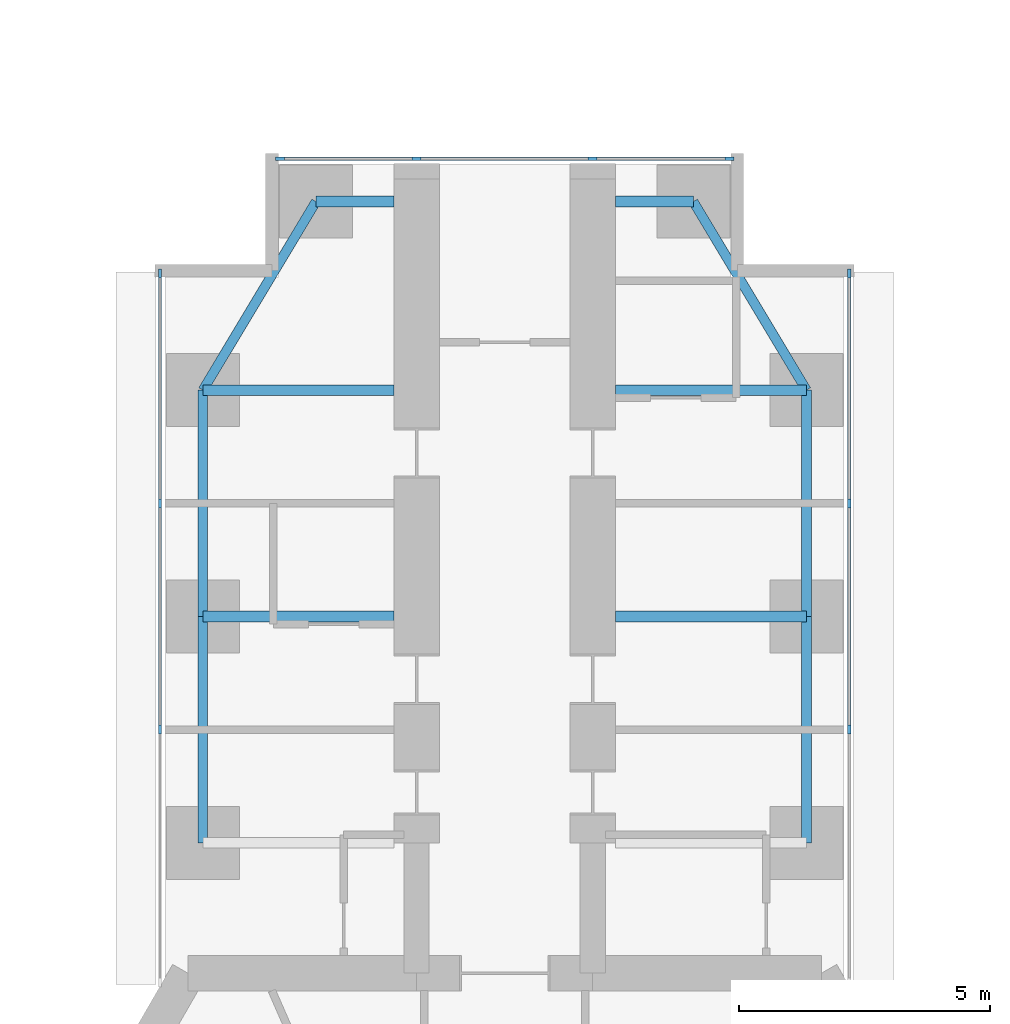
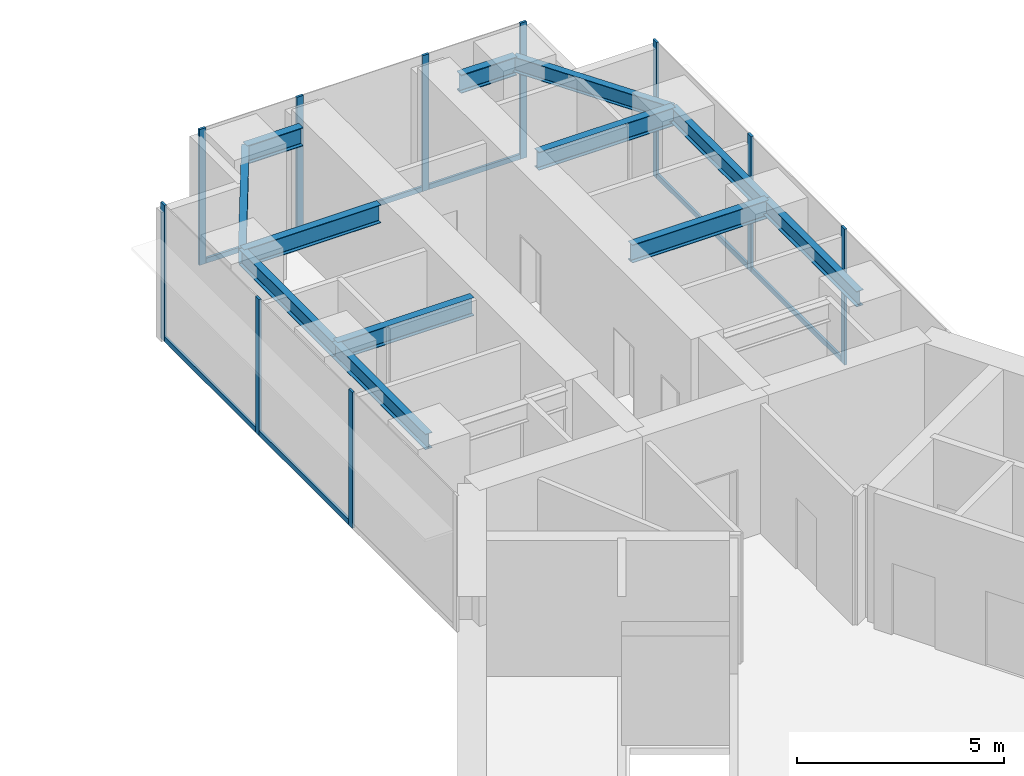
# One storey, part 13 of 24: 17 members, 12 beams, 3 elements without a shape of their own.
"""IFC4 building model written with IfcOpenShell, lengths in metres."""

from ifc_helpers import new_model, si_unit, direction, frame, origin, origin_2d, place, context, subcontext, project, spatial, rectangle, i_section, extrude, material, material_profile, profile_set, type_object, element, aggregate, save


model = new_model("IFC4")

# Units and contexts
model_context = context("Model", 3, precision=1e-05, world=origin(), true_north=direction((0.0, 1.0)))
body_context = subcontext(model_context, "Body", "Model", "MODEL_VIEW")
ifc_project = project(units=[si_unit("LENGTHUNIT", "METRE"), si_unit("AREAUNIT", "SQUARE_METRE"), si_unit("VOLUMEUNIT", "CUBIC_METRE"), si_unit("PLANEANGLEUNIT", "RADIAN"), si_unit("MASSUNIT", "GRAM", prefix="KILO")], contexts=[model_context])

# Site, building, storey
site_placement = place(None, origin())
site = spatial("IfcSite", under=ifc_project, at=site_placement, CompositionType="ELEMENT")
building_placement = place(site_placement, origin())
building = spatial("IfcBuilding", under=site, at=building_placement, Name="Upepo Twin Towers", CompositionType="ELEMENT")
storey_placement = place(building_placement, frame((0.0, 0.0, 56.5)))
storey = spatial("IfcBuildingStorey", under=building, at=storey_placement, Name="L13", CompositionType="ELEMENT", Elevation=56.5)

# Beams
ifc_material_1 = material(Name="Steel S355", Category="steel")
ifc_material_profile_1 = material_profile(ifc_material_1, i_section(OverallWidth=0.1904296875, OverallDepth=0.45703125, WebThickness=0.009033203125, FlangeThickness=0.014404296875, FilletRadius=0.01025390625, at=origin_2d()), Name="UB 457x191x74")
ifc_profile_set_1 = profile_set([ifc_material_profile_1], Name="Steel S355")
beam_type_1 = type_object("IfcBeamType", Name="Beam UB 457x191x74", PredefinedType="BEAM", material=ifc_profile_set_1)
for number, where, z_axis, x_axis, name in (
    (1, (52.5, -4.5, 3.571533203125), (0.0, 1.0, 0.0), (-1.0, 0.0, 0.0), "T2 edge beam AL 13.5-18.0"),
    (2, (52.5, 0.0, 3.571533203125), (0.0, 1.0, 0.0), (-1.0, 0.0, 0.0), "T2 edge beam AL 18.0-22.5"),
):
    element("IfcBeam", number, at=place(storey_placement, frame(where, z_axis=z_axis, x_axis=x_axis)), inside=storey, type_object=beam_type_1, Name=name, PredefinedType="BEAM", context=body_context, shape_type="SweptSolid", body=[
        extrude(i_section(OverallWidth=0.1904296875, OverallDepth=0.45703125, WebThickness=0.009033203125, FlangeThickness=0.014404296875, FilletRadius=0.01025390625, at=origin_2d()), origin(), (0.0, 0.0, 1.0), 4.5),
    ])
beam_1_placement = place(storey_placement, frame((52.5, 4.5, 3.571533203125), z_axis=(0.514495755428, 0.857492925713, 0.0), x_axis=(-0.857492925713, 0.514495755428, 0.0)))
element("IfcBeam", 3, at=beam_1_placement, inside=storey, type_object=beam_type_1, Name="T2 nose edge beam AL", PredefinedType="BEAM", context=body_context, shape_type="SweptSolid", body=[
    extrude(i_section(OverallWidth=0.1904296875, OverallDepth=0.45703125, WebThickness=0.009033203125, FlangeThickness=0.014404296875, FilletRadius=0.01025390625, at=origin_2d()), origin(), (0.0, 0.0, 1.0), 4.373291015625),
])
for number, where, z_axis, x_axis, name in (
    (4, (64.5, -4.5, 3.571533203125), (0.0, 1.0, 0.0), (-1.0, 0.0, 0.0), "T2 edge beam AR 13.5-18.0"),
    (5, (64.5, 0.0, 3.571533203125), (0.0, 1.0, 0.0), (-1.0, 0.0, 0.0), "T2 edge beam AR 18.0-22.5"),
):
    element("IfcBeam", number, at=place(storey_placement, frame(where, z_axis=z_axis, x_axis=x_axis)), inside=storey, type_object=beam_type_1, Name=name, PredefinedType="BEAM", context=body_context, shape_type="SweptSolid", body=[
        extrude(i_section(OverallWidth=0.1904296875, OverallDepth=0.45703125, WebThickness=0.009033203125, FlangeThickness=0.014404296875, FilletRadius=0.01025390625, at=origin_2d()), origin(), (0.0, 0.0, 1.0), 4.5),
    ])
beam_2_placement = place(storey_placement, frame((64.5, 4.5, 3.571533203125), z_axis=(-0.514495755428, 0.857492925713, 0.0), x_axis=(-0.857492925713, -0.514495755428, 0.0)))
element("IfcBeam", 6, at=beam_2_placement, inside=storey, type_object=beam_type_1, Name="T2 nose edge beam AR", PredefinedType="BEAM", context=body_context, shape_type="SweptSolid", body=[
    extrude(i_section(OverallWidth=0.1904296875, OverallDepth=0.45703125, WebThickness=0.009033203125, FlangeThickness=0.014404296875, FilletRadius=0.01025390625, at=origin_2d()), origin(), (0.0, 0.0, 1.0), 4.373291015625),
])
ifc_material_2 = material(Name="Steel S355", Category="steel")
ifc_material_profile_2 = material_profile(ifc_material_2, i_section(OverallWidth=0.2119140625, OverallDepth=0.54443359375, WebThickness=0.0126953125, FlangeThickness=0.021240234375, FilletRadius=0.0126953125, at=origin_2d()), Name="UB 533x210x122")
ifc_profile_set_2 = profile_set([ifc_material_profile_2], Name="Steel S355")
beam_type_2 = type_object("IfcBeamType", Name="Beam UB 533x210x122", PredefinedType="BEAM", material=ifc_profile_set_2)
for number, where, z_axis, x_axis, name in (
    (7, (54.75, 8.25, 3.52783203125), (1.0, 0.0, 0.0), (0.0, 1.0, 0.0), "T2 nose beam AL"),
    (8, (62.25, 8.25, 3.52783203125), (-1.0, 0.0, 0.0), (0.0, -1.0, 0.0), "T2 nose beam AR"),
):
    element("IfcBeam", number, at=place(storey_placement, frame(where, z_axis=z_axis, x_axis=x_axis)), inside=storey, type_object=beam_type_2, Name=name, PredefinedType="BEAM", context=body_context, shape_type="SweptSolid", body=[
        extrude(i_section(OverallWidth=0.2119140625, OverallDepth=0.54443359375, WebThickness=0.0126953125, FlangeThickness=0.021240234375, FilletRadius=0.0126953125, at=origin_2d()), origin(), (0.0, 0.0, 1.0), 1.550048828125),
    ])
ifc_material_3 = material(Name="Steel S355", Category="steel")
ifc_material_profile_3 = material_profile(ifc_material_3, i_section(OverallWidth=0.209228515625, OverallDepth=0.533203125, WebThickness=0.010009765625, FlangeThickness=0.015625, FilletRadius=0.0126953125, at=origin_2d()), Name="UB 533x210x92")
ifc_profile_set_3 = profile_set([ifc_material_profile_3], Name="Steel S355")
beam_type_3 = type_object("IfcBeamType", Name="Beam UB 533x210x92", PredefinedType="BEAM", material=ifc_profile_set_3)
for number, where, z_axis, x_axis, name in (
    (9, (52.5, 0.0, 3.533447265625), (1.0, 0.0, 0.0), (0.0, 1.0, 0.0), "T2 girder AL at 18.0"),
    (10, (52.5, 4.5, 3.533447265625), (1.0, 0.0, 0.0), (0.0, 1.0, 0.0), "T2 girder AL at 22.5"),
    (11, (64.5, 0.0, 3.533447265625), (-1.0, 0.0, 0.0), (0.0, -1.0, 0.0), "T2 girder AR at 18.0"),
    (12, (64.5, 4.5, 3.533447265625), (-1.0, 0.0, 0.0), (0.0, -1.0, 0.0), "T2 girder AR at 22.5"),
):
    element("IfcBeam", number, at=place(storey_placement, frame(where, z_axis=z_axis, x_axis=x_axis)), inside=storey, type_object=beam_type_3, Name=name, PredefinedType="BEAM", context=body_context, shape_type="SweptSolid", body=[
        extrude(i_section(OverallWidth=0.209228515625, OverallDepth=0.533203125, WebThickness=0.010009765625, FlangeThickness=0.015625, FilletRadius=0.0126953125, at=origin_2d()), origin(), (0.0, 0.0, 1.0), 3.800048828125),
    ])

# Curtain wall, members
ifc_material_4 = material(Name="Aluminium and fritted glass", Category="aluminium")
curtain_wall_type = type_object("IfcCurtainWallType", Name="Tower curtain wall TW1, fritted glass", PredefinedType="NOTDEFINED", material=ifc_material_4)
curtain_wall_1_placement = place(storey_placement, origin())
curtain_wall_1 = element("IfcCurtainWall", 13, at=curtain_wall_1_placement, inside=storey, type_object=curtain_wall_type, Name="T2 L13 wing A flank L curtain wall", PredefinedType="NOTDEFINED")
ifc_material_5 = material(Name="Aluminium mullion", Category="aluminium")
ifc_material_profile_4 = material_profile(ifc_material_5, rectangle(XDim=0.06494140625, YDim=0.179931640625, at=origin_2d()), Name="MULLION 65x180")
ifc_profile_set_4 = profile_set([ifc_material_profile_4], Name="Aluminium mullion")
member_type_1 = type_object("IfcMemberType", Name="Mullion 65x180 TW1", PredefinedType="MULLION", material=ifc_profile_set_4)
member_1_placement = place(storey_placement, frame((51.64990234375, -2.25, 0.0), z_axis=(0.0, 0.0, 1.0), x_axis=(-1.0, 0.0, 0.0)))
member_1 = element("IfcMember", 14, at=member_1_placement, type_object=member_type_1, Name="T2 L13 wing A flank L curtain wall mullion 2", PredefinedType="MULLION", context=body_context, shape_type="SweptSolid", body=[
    extrude(rectangle(XDim=0.06494140625, YDim=0.179931640625, at=origin_2d()), origin(), (0.0, 0.0, 1.0), 4.0),
])
member_2_placement = place(storey_placement, frame((51.64990234375, 2.25, 0.0), z_axis=(0.0, 0.0, 1.0), x_axis=(-1.0, 0.0, 0.0)))
member_2 = element("IfcMember", 15, at=member_2_placement, type_object=member_type_1, Name="T2 L13 wing A flank L curtain wall mullion 3", PredefinedType="MULLION", context=body_context, shape_type="SweptSolid", body=[
    extrude(rectangle(XDim=0.06494140625, YDim=0.179931640625, at=origin_2d()), origin(), (0.0, 0.0, 1.0), 4.0),
])
member_3_placement = place(storey_placement, frame((51.64990234375, 6.8173828125, 0.0), z_axis=(0.0, 0.0, 1.0), x_axis=(-1.0, 0.0, 0.0)))
member_3 = element("IfcMember", 16, at=member_3_placement, type_object=member_type_1, Name="T2 L13 wing A flank L curtain wall mullion 4", PredefinedType="MULLION", context=body_context, shape_type="SweptSolid", body=[
    extrude(rectangle(XDim=0.06494140625, YDim=0.179931640625, at=origin_2d()), origin(), (0.0, 0.0, 1.0), 4.0),
])

curtain_wall_2_placement = place(storey_placement, origin())
curtain_wall_2 = element("IfcCurtainWall", 17, at=curtain_wall_2_placement, inside=storey, type_object=curtain_wall_type, Name="T2 L13 wing A flank R curtain wall", PredefinedType="NOTDEFINED")
member_4_placement = place(storey_placement, frame((65.35009765625, 6.8173828125, 0.0), z_axis=(0.0, 0.0, 1.0), x_axis=(1.0, 0.0, 0.0)))
member_4 = element("IfcMember", 18, at=member_4_placement, type_object=member_type_1, Name="T2 L13 wing A flank R curtain wall mullion 1", PredefinedType="MULLION", context=body_context, shape_type="SweptSolid", body=[
    extrude(rectangle(XDim=0.06494140625, YDim=0.179931640625, at=origin_2d()), origin(), (0.0, 0.0, 1.0), 4.0),
])
member_5_placement = place(storey_placement, frame((65.35009765625, 2.25, 0.0), z_axis=(0.0, 0.0, 1.0), x_axis=(1.0, 0.0, 0.0)))
member_5 = element("IfcMember", 19, at=member_5_placement, type_object=member_type_1, Name="T2 L13 wing A flank R curtain wall mullion 2", PredefinedType="MULLION", context=body_context, shape_type="SweptSolid", body=[
    extrude(rectangle(XDim=0.06494140625, YDim=0.179931640625, at=origin_2d()), origin(), (0.0, 0.0, 1.0), 4.0),
])
member_6_placement = place(storey_placement, frame((65.35009765625, -2.25, 0.0), z_axis=(0.0, 0.0, 1.0), x_axis=(1.0, 0.0, 0.0)))
member_6 = element("IfcMember", 20, at=member_6_placement, type_object=member_type_1, Name="T2 L13 wing A flank R curtain wall mullion 3", PredefinedType="MULLION", context=body_context, shape_type="SweptSolid", body=[
    extrude(rectangle(XDim=0.06494140625, YDim=0.179931640625, at=origin_2d()), origin(), (0.0, 0.0, 1.0), 4.0),
])

curtain_wall_3_placement = place(storey_placement, origin())
curtain_wall_3 = element("IfcCurtainWall", 21, at=curtain_wall_3_placement, inside=storey, type_object=curtain_wall_type, Name="T2 L13 wing A nose curtain wall", PredefinedType="NOTDEFINED")
member_7_placement = place(storey_placement, frame((62.967529296875, 9.10009765625, 0.0), z_axis=(0.0, 0.0, 1.0), x_axis=(0.0, -1.0, 0.0)))
member_7 = element("IfcMember", 22, at=member_7_placement, type_object=member_type_1, Name="T2 L13 wing A nose curtain wall mullion 1", PredefinedType="MULLION", context=body_context, shape_type="SweptSolid", body=[
    extrude(rectangle(XDim=0.06494140625, YDim=0.179931640625, at=origin_2d()), origin(), (0.0, 0.0, 1.0), 4.0),
])
member_8_placement = place(storey_placement, frame((60.25, 9.10009765625, 0.0), z_axis=(0.0, 0.0, 1.0), x_axis=(0.0, -1.0, 0.0)))
member_8 = element("IfcMember", 23, at=member_8_placement, type_object=member_type_1, Name="T2 L13 wing A nose curtain wall mullion 2", PredefinedType="MULLION", context=body_context, shape_type="SweptSolid", body=[
    extrude(rectangle(XDim=0.06494140625, YDim=0.179931640625, at=origin_2d()), origin(), (0.0, 0.0, 1.0), 4.0),
])
member_9_placement = place(storey_placement, frame((56.75, 9.10009765625, 0.0), z_axis=(0.0, 0.0, 1.0), x_axis=(0.0, -1.0, 0.0)))
member_9 = element("IfcMember", 24, at=member_9_placement, type_object=member_type_1, Name="T2 L13 wing A nose curtain wall mullion 3", PredefinedType="MULLION", context=body_context, shape_type="SweptSolid", body=[
    extrude(rectangle(XDim=0.06494140625, YDim=0.179931640625, at=origin_2d()), origin(), (0.0, 0.0, 1.0), 4.0),
])
member_10_placement = place(storey_placement, frame((54.032470703125, 9.10009765625, 0.0), z_axis=(0.0, 0.0, 1.0), x_axis=(0.0, -1.0, 0.0)))
member_10 = element("IfcMember", 25, at=member_10_placement, type_object=member_type_1, Name="T2 L13 wing A nose curtain wall mullion 4", PredefinedType="MULLION", context=body_context, shape_type="SweptSolid", body=[
    extrude(rectangle(XDim=0.06494140625, YDim=0.179931640625, at=origin_2d()), origin(), (0.0, 0.0, 1.0), 4.0),
])

# Member
ifc_material_6 = material(Name="Aluminium transom", Category="aluminium")
ifc_material_profile_5 = material_profile(ifc_material_6, rectangle(XDim=0.06494140625, YDim=0.14990234375, at=origin_2d()), Name="TRANSOM 65x150")
ifc_profile_set_5 = profile_set([ifc_material_profile_5], Name="Aluminium transom")
member_type_2 = type_object("IfcMemberType", Name="Transom 65x150 TW1", PredefinedType="USERDEFINED", material=ifc_profile_set_5)
member_11_placement = place(storey_placement, frame((51.64990234375, -2.217529296875, 0.074951171875), z_axis=(0.0, 1.0, 0.0), x_axis=(-1.0, 0.0, 0.0)))
member_11 = element("IfcMember", 26, at=member_11_placement, type_object=member_type_2, Name="T2 L13 wing A flank L curtain wall transom 2", ObjectType="TRANSOM", PredefinedType="USERDEFINED", context=body_context, shape_type="SweptSolid", body=[
    extrude(rectangle(XDim=0.06494140625, YDim=0.14990234375, at=origin_2d()), origin(), (0.0, 0.0, 1.0), 4.43505859375),
])

member_12_placement = place(storey_placement, frame((51.64990234375, 2.282470703125, 0.074951171875), z_axis=(0.0, 1.0, 0.0), x_axis=(-1.0, 0.0, 0.0)))
member_12 = element("IfcMember", 27, at=member_12_placement, type_object=member_type_2, Name="T2 L13 wing A flank L curtain wall transom 3", ObjectType="TRANSOM", PredefinedType="USERDEFINED", context=body_context, shape_type="SweptSolid", body=[
    extrude(rectangle(XDim=0.06494140625, YDim=0.14990234375, at=origin_2d()), origin(), (0.0, 0.0, 1.0), 4.50244140625),
])

aggregate(curtain_wall_1, [member_1, member_2, member_3, member_11, member_12])

member_13_placement = place(storey_placement, frame((65.35009765625, 6.784912109375, 0.074951171875), z_axis=(0.0, -1.0, 0.0), x_axis=(1.0, 0.0, 0.0)))
member_13 = element("IfcMember", 28, at=member_13_placement, type_object=member_type_2, Name="T2 L13 wing A flank R curtain wall transom 1", ObjectType="TRANSOM", PredefinedType="USERDEFINED", context=body_context, shape_type="SweptSolid", body=[
    extrude(rectangle(XDim=0.06494140625, YDim=0.14990234375, at=origin_2d()), origin(), (0.0, 0.0, 1.0), 4.50244140625),
])

member_14_placement = place(storey_placement, frame((65.35009765625, 2.217529296875, 0.074951171875), z_axis=(0.0, -1.0, 0.0), x_axis=(1.0, 0.0, 0.0)))
member_14 = element("IfcMember", 29, at=member_14_placement, type_object=member_type_2, Name="T2 L13 wing A flank R curtain wall transom 2", ObjectType="TRANSOM", PredefinedType="USERDEFINED", context=body_context, shape_type="SweptSolid", body=[
    extrude(rectangle(XDim=0.06494140625, YDim=0.14990234375, at=origin_2d()), origin(), (0.0, 0.0, 1.0), 4.43505859375),
])

aggregate(curtain_wall_2, [member_4, member_5, member_6, member_13, member_14])

member_15_placement = place(storey_placement, frame((62.93505859375, 9.10009765625, 0.074951171875), z_axis=(-1.0, 0.0, 0.0), x_axis=(0.0, -1.0, 0.0)))
member_15 = element("IfcMember", 30, at=member_15_placement, type_object=member_type_2, Name="T2 L13 wing A nose curtain wall transom 1", ObjectType="TRANSOM", PredefinedType="USERDEFINED", context=body_context, shape_type="SweptSolid", body=[
    extrude(rectangle(XDim=0.06494140625, YDim=0.14990234375, at=origin_2d()), origin(), (0.0, 0.0, 1.0), 2.652587890625),
])

member_16_placement = place(storey_placement, frame((60.217529296875, 9.10009765625, 0.074951171875), z_axis=(-1.0, 0.0, 0.0), x_axis=(0.0, -1.0, 0.0)))
member_16 = element("IfcMember", 31, at=member_16_placement, type_object=member_type_2, Name="T2 L13 wing A nose curtain wall transom 2", ObjectType="TRANSOM", PredefinedType="USERDEFINED", context=body_context, shape_type="SweptSolid", body=[
    extrude(rectangle(XDim=0.06494140625, YDim=0.14990234375, at=origin_2d()), origin(), (0.0, 0.0, 1.0), 3.43505859375),
])

member_17_placement = place(storey_placement, frame((56.717529296875, 9.10009765625, 0.074951171875), z_axis=(-1.0, 0.0, 0.0), x_axis=(0.0, -1.0, 0.0)))
member_17 = element("IfcMember", 32, at=member_17_placement, type_object=member_type_2, Name="T2 L13 wing A nose curtain wall transom 3", ObjectType="TRANSOM", PredefinedType="USERDEFINED", context=body_context, shape_type="SweptSolid", body=[
    extrude(rectangle(XDim=0.06494140625, YDim=0.14990234375, at=origin_2d()), origin(), (0.0, 0.0, 1.0), 2.652587890625),
])

aggregate(curtain_wall_3, [member_7, member_8, member_9, member_10, member_15, member_16, member_17])

save(model, "model.ifc")
